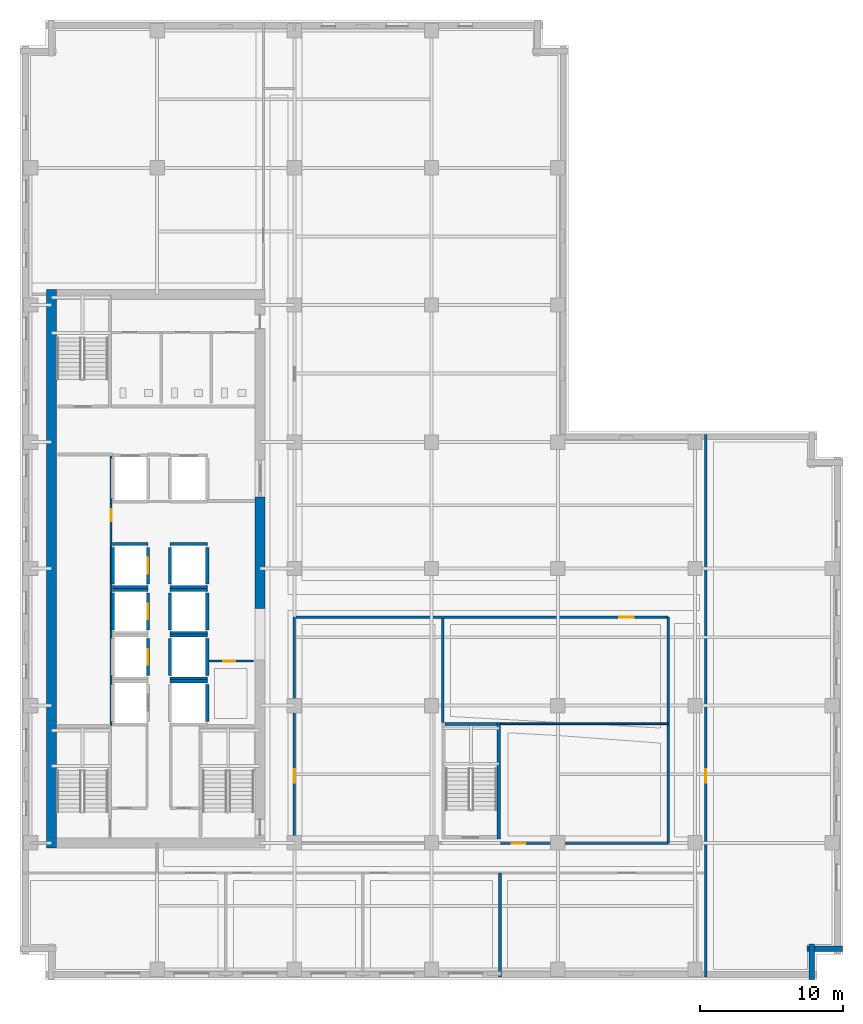
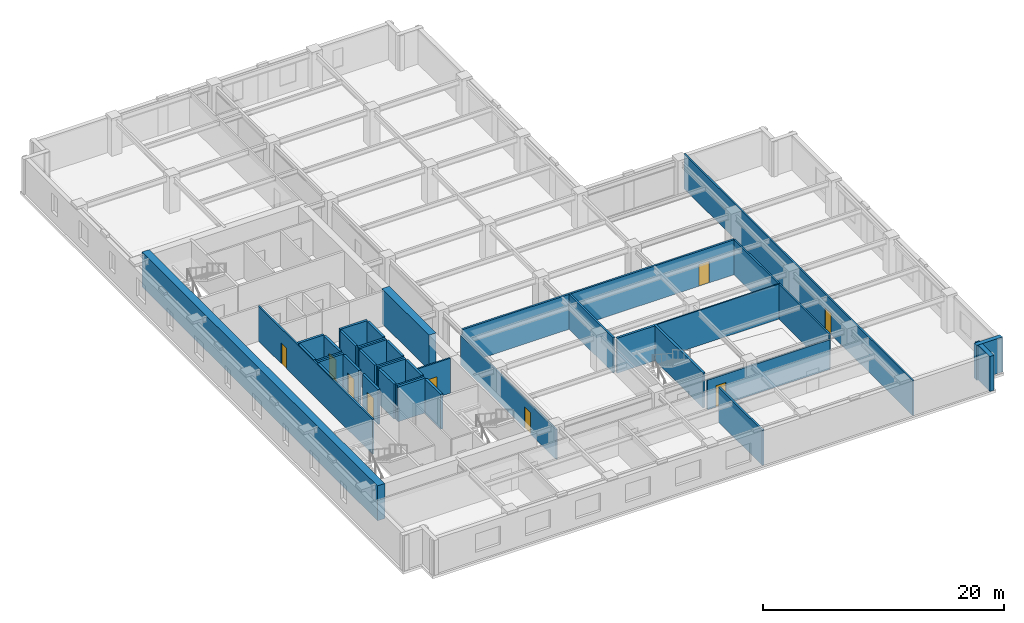
# One storey, part 4 of 11: 38 walls, 9 doors, 9 openings.
"""IFC4 building model written with IfcOpenShell, lengths in metres."""

from ifc_helpers import new_model, si_unit, direction, frame, frame_2d, origin, place, context, subcontext, project, spatial, rectangle, extrude, material, layer, layer_set, type_object, element, fill, save


model = new_model("IFC4")

# Units and contexts
model_context = context("Model", 3, precision=1e-05, world=origin(), true_north=direction((0.0, 1.0)))
body_context = subcontext(model_context, "Body", "Model", "MODEL_VIEW")
ifc_project = project(units=[si_unit("LENGTHUNIT", "METRE"), si_unit("AREAUNIT", "SQUARE_METRE"), si_unit("VOLUMEUNIT", "CUBIC_METRE"), si_unit("PLANEANGLEUNIT", "RADIAN"), si_unit("MASSUNIT", "GRAM", prefix="KILO")], contexts=[model_context])

# Site, building, storey
site_placement = place(None, origin())
site = spatial("IfcSite", under=ifc_project, at=site_placement, CompositionType="ELEMENT")
building_placement = place(site_placement, origin())
building = spatial("IfcBuilding", under=site, at=building_placement, Name="Norrvale University Quadrangle", CompositionType="ELEMENT")
storey_placement = place(building_placement, frame((0.0, 0.0, 120.39990234375)))
storey = spatial("IfcBuildingStorey", under=building, at=storey_placement, Name="L30", CompositionType="ELEMENT", Elevation=120.39990234375)

# Walls
ifc_material_1 = material(Name="Concrete C60/75", Category="concrete")
ifc_layer_1 = layer(ifc_material_1, 0.699951171875, Name="Concrete C60/75")
ifc_layer_set_1 = layer_set([ifc_layer_1], Name="Concrete C60/75")
wall_type_1 = type_object("IfcWallType", Name="Wall Core 700", PredefinedType="SHEAR", material=ifc_layer_set_1)
wall_1_placement = place(storey_placement, frame((2.199951171875, 9.25, 0.0), z_axis=(0.0, 0.0, 1.0), x_axis=(0.0, 1.0, 0.0)))
element("IfcWall", 1, at=wall_1_placement, inside=storey, type_object=wall_type_1, Name="Tower Core Shear Wall L30-W", PredefinedType="SHEAR", context=body_context, shape_type="SweptSolid", body=[
    extrude(rectangle(XDim=39.10009765625, YDim=0.699951171875, at=frame_2d((19.550048828125, 0.0))), origin(), (0.0, 0.0, 1.0), 3.5400390625),
])
wall_2_placement = place(storey_placement, frame((16.800048828125, 26.0, 0.0), z_axis=(0.0, 0.0, 1.0), x_axis=(0.0, 1.0, 0.0)))
element("IfcWall", 2, at=wall_2_placement, inside=storey, type_object=wall_type_1, Name="Tower Core Shear Wall L30-E2", PredefinedType="SHEAR", context=body_context, shape_type="SweptSolid", body=[
    extrude(rectangle(XDim=7.800048828125, YDim=0.699951171875, at=frame_2d((3.89990234375, 0.0))), origin(), (0.0, 0.0, 1.0), 3.5400390625),
])
ifc_material_2 = material(Name="Standard Academic Gypsum Partition")
ifc_layer_2 = layer(ifc_material_2, 0.125, Name="Standard Academic Gypsum Partition")
ifc_layer_set_2 = layer_set([ifc_layer_2], Name="Standard Academic Gypsum Partition")
wall_type_2 = type_object("IfcWallType", Name="Wall Gypsum Academic 125", PredefinedType="PARTITIONING", material=ifc_layer_set_2)
wall_3_placement = place(storey_placement, frame((33.6201171875, 17.93994140625, 0.0), z_axis=(0.0, 0.0, 1.0), x_axis=(1.0, 0.0, 0.0)))
element("IfcWall", 3, at=wall_3_placement, inside=storey, type_object=wall_type_2, Name="Interior Partition WL-L30-ISLH", PredefinedType="PARTITIONING", context=body_context, shape_type="SweptSolid", body=[
    extrude(rectangle(XDim=11.7548828125, YDim=0.125, at=frame_2d((5.87744140625, 0.0))), origin(), (0.0, 0.0, 1.0), 3.5400390625),
])

# Wall, opening, door
ifc_material_3 = material(Name="Fire-Rated Gypsum Stud Partition")
ifc_layer_3 = layer(ifc_material_3, 0.14990234375, Name="Fire-Rated Gypsum Stud Partition")
ifc_layer_set_3 = layer_set([ifc_layer_3], Name="Fire-Rated Gypsum Stud Partition")
wall_type_3 = type_object("IfcWallType", Name="Wall Gypsum Corridor 150", PredefinedType="PARTITIONING", material=ifc_layer_set_3)
wall_4_placement = place(storey_placement, frame((13.22509765625, 22.320068359375, 0.0), z_axis=(0.0, 0.0, 1.0), x_axis=(1.0, 0.0, 0.0)))
wall_4 = element("IfcWall", 4, at=wall_4_placement, inside=storey, type_object=wall_type_3, Name="Interior Partition WL-L30-JAN-N", PredefinedType="PARTITIONING", context=body_context, shape_type="SweptSolid", body=[
    extrude(rectangle(XDim=3.119873046875, YDim=0.14990234375, at=frame_2d((1.56005859375, 0.0))), origin(), (0.0, 0.0, 1.0), 3.5400390625),
])
opening_1_placement = place(wall_4_placement, frame((1.0, 0.0, 0.0)))
opening_1 = element("IfcOpeningElement", 5, at=opening_1_placement, cuts=wall_4, Name="Opening D10", PredefinedType="OPENING", context=body_context, shape_type="SweptSolid", body=[
    extrude(rectangle(XDim=0.85009765625, YDim=2.10009765625, at=frame_2d((0.425048828125, 1.050048828125))), frame((0.0, 0.0869140625, 0.0), z_axis=(0.0, -1.0, 0.0), x_axis=(1.0, 0.0, 0.0)), (0.0, 0.0, 1.0), 0.173828125),
])
ifc_material_4 = material(Name="Hollow Steel 350W Riser Fire Door", Category="steel")
door_type_1 = type_object("IfcDoorType", Name="Door Riser 850x2100", OperationType="NOTDEFINED", PredefinedType="DOOR", material=ifc_material_4)
door_1_placement = place(opening_1_placement, origin())
door_1 = element("IfcDoor", 6, at=door_1_placement, inside=storey, type_object=door_type_1, Name="Door Riser 850x2100 DR-L30-JAN", OperationType="SINGLE_SWING_LEFT", OverallHeight=2.10009765625, OverallWidth=0.85009765625, PredefinedType="DOOR", context=body_context, shape_type="SweptSolid", body=[
    extrude(rectangle(XDim=0.85009765625, YDim=2.10009765625, at=frame_2d((0.425048828125, 1.050048828125))), frame((0.0, 0.02490234375, 0.0), z_axis=(0.0, -1.0, 0.0), x_axis=(1.0, 0.0, 0.0)), (0.0, 0.0, 1.0), 0.050048828125),
])
fill(opening_1, door_1)

wall_5_placement = place(storey_placement, frame((6.3798828125, 17.800048828125, 0.0), z_axis=(0.0, 0.0, 1.0), x_axis=(0.0, 1.0, 0.0)))
wall_5 = element("IfcWall", 7, at=wall_5_placement, inside=storey, type_object=wall_type_3, Name="Interior Partition WL-L30-WME-E", PredefinedType="PARTITIONING", context=body_context, shape_type="SweptSolid", body=[
    extrude(rectangle(XDim=18.97998046875, YDim=0.14990234375, at=frame_2d((9.489990234375, 0.0))), origin(), (0.0, 0.0, 1.0), 3.5400390625),
])
opening_2_placement = place(wall_5_placement, frame((14.300048828125, 0.0, 0.0)))
opening_2 = element("IfcOpeningElement", 8, at=opening_2_placement, cuts=wall_5, Name="Opening D10", PredefinedType="OPENING", context=body_context, shape_type="SweptSolid", body=[
    extrude(rectangle(XDim=0.85009765625, YDim=2.10009765625, at=frame_2d((0.425048828125, 1.050048828125))), frame((0.0, 0.0869140625, 0.0), z_axis=(0.0, -1.0, 0.0), x_axis=(1.0, 0.0, 0.0)), (0.0, 0.0, 1.0), 0.173828125),
])
door_2_placement = place(opening_2_placement, origin())
door_2 = element("IfcDoor", 9, at=door_2_placement, inside=storey, type_object=door_type_1, Name="Door Riser 850x2100 DR-L30-WME", OperationType="SINGLE_SWING_LEFT", OverallHeight=2.10009765625, OverallWidth=0.85009765625, PredefinedType="DOOR", context=body_context, shape_type="SweptSolid", body=[
    extrude(rectangle(XDim=0.85009765625, YDim=2.10009765625, at=frame_2d((0.425048828125, 1.050048828125))), frame((0.0, 0.02490234375, 0.0), z_axis=(0.0, -1.0, 0.0), x_axis=(1.0, 0.0, 0.0)), (0.0, 0.0, 1.0), 0.050048828125),
])
fill(opening_2, door_2)

wall_6_placement = place(storey_placement, frame((48.0, 0.219970703125, 0.0), z_axis=(0.0, 0.0, 1.0), x_axis=(0.0, 1.0, 0.0)))
wall_6 = element("IfcWall", 10, at=wall_6_placement, inside=storey, type_object=wall_type_3, Name="Interior Partition WL-L30-ECW", PredefinedType="PARTITIONING", context=body_context, shape_type="SweptSolid", body=[
    extrude(rectangle(XDim=37.9599609375, YDim=0.14990234375, at=frame_2d((18.97998046875, 0.0))), origin(), (0.0, 0.0, 1.0), 3.5400390625),
])
opening_3_placement = place(wall_6_placement, frame((13.580078125, 0.0, 0.0)))
opening_3 = element("IfcOpeningElement", 11, at=opening_3_placement, cuts=wall_6, Name="Opening D07", PredefinedType="OPENING", context=body_context, shape_type="SweptSolid", body=[
    extrude(rectangle(XDim=0.949951171875, YDim=2.14990234375, at=frame_2d((0.47509765625, 1.074951171875))), frame((0.0, 0.0869140625, 0.0), z_axis=(0.0, -1.0, 0.0), x_axis=(1.0, 0.0, 0.0)), (0.0, 0.0, 1.0), 0.173828125),
])
ifc_material_5 = material(Name="Solid-Core Maple Door", Category="wood")
door_type_2 = type_object("IfcDoorType", Name="Door Office 950x2150", OperationType="NOTDEFINED", PredefinedType="DOOR", material=ifc_material_5)
door_3_placement = place(opening_3_placement, origin())
door_3 = element("IfcDoor", 12, at=door_3_placement, inside=storey, type_object=door_type_2, Name="Door Office 950x2150 DR-L30-E01", OperationType="SINGLE_SWING_RIGHT", OverallHeight=2.14990234375, OverallWidth=0.949951171875, PredefinedType="DOOR", context=body_context, shape_type="SweptSolid", body=[
    extrude(rectangle(XDim=0.949951171875, YDim=2.14990234375, at=frame_2d((0.47509765625, 1.074951171875))), frame((0.0, 0.02490234375, 0.0), z_axis=(0.0, -1.0, 0.0), x_axis=(1.0, 0.0, 0.0)), (0.0, 0.0, 1.0), 0.050048828125),
])
fill(opening_3, door_3)

wall_7_placement = place(storey_placement, frame((19.199951171875, 9.550048828125, 0.0), z_axis=(0.0, 0.0, 1.0), x_axis=(0.0, 1.0, 0.0)))
wall_7 = element("IfcWall", 13, at=wall_7_placement, inside=storey, type_object=wall_type_3, Name="Interior Partition WL-L30-ISLW", PredefinedType="PARTITIONING", context=body_context, shape_type="SweptSolid", body=[
    extrude(rectangle(XDim=15.849853515625, YDim=0.14990234375, at=frame_2d((7.9248046875, 0.0))), origin(), (0.0, 0.0, 1.0), 2.99609375),
])
opening_4_placement = place(wall_7_placement, frame((4.25, 0.0, 0.0)))
opening_4 = element("IfcOpeningElement", 14, at=opening_4_placement, cuts=wall_7, Name="Opening D07", PredefinedType="OPENING", context=body_context, shape_type="SweptSolid", body=[
    extrude(rectangle(XDim=0.949951171875, YDim=2.14990234375, at=frame_2d((0.47509765625, 1.074951171875))), frame((0.0, 0.0869140625, 0.0), z_axis=(0.0, -1.0, 0.0), x_axis=(1.0, 0.0, 0.0)), (0.0, 0.0, 1.0), 0.173828125),
])
door_4_placement = place(opening_4_placement, origin())
door_4 = element("IfcDoor", 15, at=door_4_placement, inside=storey, type_object=door_type_2, Name="Door Office 950x2150 DR-L30-IW1", OperationType="SINGLE_SWING_LEFT", OverallHeight=2.14990234375, OverallWidth=0.949951171875, PredefinedType="DOOR", context=body_context, shape_type="SweptSolid", body=[
    extrude(rectangle(XDim=0.949951171875, YDim=2.14990234375, at=frame_2d((0.47509765625, 1.074951171875))), frame((0.0, 0.02490234375, 0.0), z_axis=(0.0, -1.0, 0.0), x_axis=(1.0, 0.0, 0.0)), (0.0, 0.0, 1.0), 0.050048828125),
])
fill(opening_4, door_4)

wall_8_placement = place(storey_placement, frame((33.6201171875, 9.550048828125, 0.0), z_axis=(0.0, 0.0, 1.0), x_axis=(1.0, 0.0, 0.0)))
wall_8 = element("IfcWall", 16, at=wall_8_placement, inside=storey, type_object=wall_type_3, Name="Interior Partition WL-L30-ISLS2", PredefinedType="PARTITIONING", context=body_context, shape_type="SweptSolid", body=[
    extrude(rectangle(XDim=11.7548828125, YDim=0.14990234375, at=frame_2d((5.87744140625, 0.0))), origin(), (0.0, 0.0, 1.0), 2.99609375),
])
opening_5_placement = place(wall_8_placement, frame((0.800048828125, 0.0, 0.0)))
opening_5 = element("IfcOpeningElement", 17, at=opening_5_placement, cuts=wall_8, Name="Opening D07", PredefinedType="OPENING", context=body_context, shape_type="SweptSolid", body=[
    extrude(rectangle(XDim=0.949951171875, YDim=2.14990234375, at=frame_2d((0.47509765625, 1.074951171875))), frame((0.0, 0.0869140625, 0.0), z_axis=(0.0, -1.0, 0.0), x_axis=(1.0, 0.0, 0.0)), (0.0, 0.0, 1.0), 0.173828125),
])
door_5_placement = place(opening_5_placement, origin())
door_5 = element("IfcDoor", 18, at=door_5_placement, inside=storey, type_object=door_type_2, Name="Door Office 950x2150 DR-L30-ISE", OperationType="SINGLE_SWING_LEFT", OverallHeight=2.14990234375, OverallWidth=0.949951171875, PredefinedType="DOOR", context=body_context, shape_type="SweptSolid", body=[
    extrude(rectangle(XDim=0.949951171875, YDim=2.14990234375, at=frame_2d((0.47509765625, 1.074951171875))), frame((0.0, 0.02490234375, 0.0), z_axis=(0.0, -1.0, 0.0), x_axis=(1.0, 0.0, 0.0)), (0.0, 0.0, 1.0), 0.050048828125),
])
fill(opening_5, door_5)

# Walls
wall_9_placement = place(storey_placement, frame((45.375, 9.550048828125, 0.0), z_axis=(0.0, 0.0, 1.0), x_axis=(0.0, 1.0, 0.0)))
element("IfcWall", 19, at=wall_9_placement, inside=storey, type_object=wall_type_3, Name="Interior Partition WL-L30-ISLE", PredefinedType="PARTITIONING", context=body_context, shape_type="SweptSolid", body=[
    extrude(rectangle(XDim=15.849853515625, YDim=0.14990234375, at=frame_2d((7.9248046875, 0.0))), origin(), (0.0, 0.0, 1.0), 3.5400390625),
])
ifc_material_6 = material(Name="Acoustic Double-Stud Gypsum Partition")
ifc_layer_4 = layer(ifc_material_6, 0.179931640625, Name="Acoustic Double-Stud Gypsum Partition")
ifc_layer_set_4 = layer_set([ifc_layer_4], Name="Acoustic Double-Stud Gypsum Partition")
wall_type_4 = type_object("IfcWallType", Name="Wall Gypsum Lecture 180", PredefinedType="PARTITIONING", material=ifc_layer_set_4)
for number, where, z_axis, x_axis, name in (
    (20, (33.60009765625, 0.219970703125, 0.0), (0.0, 0.0, 1.0), (0.0, 1.0, 0.0), "Interior Partition WL-L30-SP03"),
    (21, (29.580078125, 18.02490234375, 0.0), (0.0, 0.0, 1.0), (0.0, 1.0, 0.0), "Interior Partition WL-L30-ISLD"),
):
    element("IfcWall", number, at=place(storey_placement, frame(where, z_axis=z_axis, x_axis=x_axis)), inside=storey, type_object=wall_type_4, Name=name, PredefinedType="PARTITIONING", context=body_context, shape_type="SweptSolid", body=[
        extrude(rectangle(XDim=7.280029296875, YDim=0.179931640625, at=frame_2d((3.64013671875, 0.0))), origin(), (0.0, 0.0, 1.0), 3.5400390625),
    ])

# Wall, opening, door
wall_10_placement = place(storey_placement, frame((19.280029296875, 25.39990234375, 0.0), z_axis=(0.0, 0.0, 1.0), x_axis=(1.0, 0.0, 0.0)))
wall_10 = element("IfcWall", 22, at=wall_10_placement, inside=storey, type_object=wall_type_4, Name="Interior Partition WL-L30-ISLN", PredefinedType="PARTITIONING", context=body_context, shape_type="SweptSolid", body=[
    extrude(rectangle(XDim=26.094970703125, YDim=0.179931640625, at=frame_2d((13.04736328125, 0.0))), origin(), (0.0, 0.0, 1.0), 3.5400390625),
])
opening_6_placement = place(wall_10_placement, frame((22.669921875, 0.0, 0.0)))
opening_6 = element("IfcOpeningElement", 23, at=opening_6_placement, cuts=wall_10, Name="Opening D04", PredefinedType="OPENING", context=body_context, shape_type="SweptSolid", body=[
    extrude(rectangle(XDim=1.0, YDim=2.199951171875, at=frame_2d((0.5, 1.10009765625))), frame((0.0, 0.10205078125, 0.0), z_axis=(0.0, -1.0, 0.0), x_axis=(1.0, 0.0, 0.0)), (0.0, 0.0, 1.0), 0.203857421875),
])
ifc_material_7 = material(Name="Solid-Core Oak Fire Door", Category="wood")
door_type_3 = type_object("IfcDoorType", Name="Door Corridor 1000x2200", OperationType="NOTDEFINED", PredefinedType="DOOR", material=ifc_material_7)
door_6_placement = place(opening_6_placement, origin())
door_6 = element("IfcDoor", 24, at=door_6_placement, inside=storey, type_object=door_type_3, Name="Door Corridor 1000x2200 DR-L30-ILH", OperationType="SINGLE_SWING_RIGHT", OverallHeight=2.199951171875, OverallWidth=1.0, PredefinedType="DOOR", context=body_context, shape_type="SweptSolid", body=[
    extrude(rectangle(XDim=1.0, YDim=2.199951171875, at=frame_2d((0.5, 1.10009765625))), frame((0.0, 0.02490234375, 0.0), z_axis=(0.0, -1.0, 0.0), x_axis=(1.0, 0.0, 0.0)), (0.0, 0.0, 1.0), 0.050048828125),
])
fill(opening_6, door_6)

# Walls
ifc_material_8 = material(Name="Red Manganese Brick Masonry", Category="masonry")
ifc_layer_5 = layer(ifc_material_8, 0.39990234375, Name="Red Manganese Brick Masonry")
ifc_layer_set_5 = layer_set([ifc_layer_5], Name="Red Manganese Brick Masonry")
wall_type_5 = type_object("IfcWallType", Name="Wall Red Brick 400", PredefinedType="SOLIDWALL", material=ifc_layer_set_5)
for number, where, z_axis, x_axis, name in (
    (25, (55.419921875, 0.0400390625, 0.0), (0.0, 0.0, 1.0), (0.0, 1.0, 0.0), "Exterior Brick Facade Wall L30-02.1"),
    (26, (55.080078125, 2.179931640625, 0.0), (0.0, 0.0, 1.0), (1.0, 0.0, 0.0), "Exterior Brick Facade Wall L30-03.1"),
):
    element("IfcWall", number, at=place(storey_placement, frame(where, z_axis=z_axis, x_axis=x_axis)), inside=storey, type_object=wall_type_5, Name=name, PredefinedType="SOLIDWALL", context=body_context, shape_type="SweptSolid", body=[
        extrude(rectangle(XDim=2.47998046875, YDim=0.39990234375, at=frame_2d((1.239990234375, 0.0))), origin(), (0.0, 0.0, 1.0), 3.5400390625),
    ])
ifc_material_9 = material(Name="Concrete Blockwork 20 MPa Fire Shaft", Category="masonry")
ifc_layer_6 = layer(ifc_material_9, 0.219970703125, Name="Concrete Blockwork 20 MPa Fire Shaft")
ifc_layer_set_6 = layer_set([ifc_layer_6], Name="Concrete Blockwork 20 MPa Fire Shaft")
wall_type_6 = type_object("IfcWallType", Name="Wall Shaft 220", PredefinedType="SOLIDWALL", material=ifc_layer_set_6)
wall_11_placement = place(storey_placement, frame((33.510009765625, 9.8798828125, 0.0), z_axis=(0.0, 0.0, 1.0), x_axis=(0.0, 1.0, 0.0)))
element("IfcWall", 27, at=wall_11_placement, inside=storey, type_object=wall_type_6, Name="Stair ST-04 East Shaft Wall L30", PredefinedType="SOLIDWALL", context=body_context, shape_type="SweptSolid", body=[
    extrude(rectangle(XDim=8.14013671875, YDim=0.219970703125, at=frame_2d((4.070068359375, 0.0))), origin(), (0.0, 0.0, 1.0), 3.5400390625),
])
wall_12_placement = place(storey_placement, frame((29.75, 17.909912109375, 0.0), z_axis=(0.0, 0.0, 1.0), x_axis=(1.0, 0.0, 0.0)))
element("IfcWall", 28, at=wall_12_placement, inside=storey, type_object=wall_type_6, Name="Stair ST-04 North Shaft Wall L30", PredefinedType="SOLIDWALL", context=body_context, shape_type="SweptSolid", body=[
    extrude(rectangle(XDim=3.64990234375, YDim=0.219970703125, at=frame_2d((1.824951171875, 0.0))), origin(), (0.0, 0.0, 1.0), 3.5400390625),
])

# Wall, opening, door
wall_13_placement = place(storey_placement, frame((8.9599609375, 21.31005859375, 0.0), z_axis=(0.0, 0.0, 1.0), x_axis=(0.0, 1.0, 0.0)))
wall_13 = element("IfcWall", 29, at=wall_13_placement, inside=storey, type_object=wall_type_6, Name="Hoistway PL-02 East Wall L30", PredefinedType="SOLIDWALL", context=body_context, shape_type="SweptSolid", body=[
    extrude(rectangle(XDim=2.579833984375, YDim=0.219970703125, at=frame_2d((1.2900390625, 0.0))), origin(), (0.0, 0.0, 1.0), 3.5400390625),
])
opening_7_placement = place(wall_13_placement, frame((0.739990234375, 0.0, 0.0)))
opening_7 = element("IfcOpeningElement", 30, at=opening_7_placement, cuts=wall_13, Name="Opening LD1", PredefinedType="OPENING", context=body_context, shape_type="SweptSolid", body=[
    extrude(rectangle(XDim=1.10009765625, YDim=2.199951171875, at=frame_2d((0.550048828125, 1.10009765625))), frame((0.0, 0.1220703125, 0.0), z_axis=(0.0, -1.0, 0.0), x_axis=(1.0, 0.0, 0.0)), (0.0, 0.0, 1.0), 0.243896484375),
])
ifc_material_10 = material(Name="Stainless Steel 316L Lift Landing Door", Category="steel")
door_type_4 = type_object("IfcDoorType", Name="Door Lift Landing 1100x2200", OperationType="DOUBLE_DOOR_SLIDING", PredefinedType="DOOR", material=ifc_material_10)
door_7_placement = place(opening_7_placement, origin())
door_7 = element("IfcDoor", 31, at=door_7_placement, inside=storey, type_object=door_type_4, Name="Elevator Landing Door DR-L30-PL-02", OperationType="DOUBLE_DOOR_SLIDING", OverallHeight=2.199951171875, OverallWidth=1.10009765625, PredefinedType="DOOR", context=body_context, shape_type="SweptSolid", body=[
    extrude(rectangle(XDim=1.10009765625, YDim=2.199951171875, at=frame_2d((0.550048828125, 1.10009765625))), frame((0.0, 0.02490234375, 0.0), z_axis=(0.0, -1.0, 0.0), x_axis=(1.0, 0.0, 0.0)), (0.0, 0.0, 1.0), 0.050048828125),
])
fill(opening_7, door_7)

# Wall
wall_14_placement = place(storey_placement, frame((6.489990234375, 24.510009765625, 0.0), z_axis=(0.0, 0.0, 1.0), x_axis=(0.0, 1.0, 0.0)))
element("IfcWall", 32, at=wall_14_placement, inside=storey, type_object=wall_type_6, Name="Hoistway PL-03 West Wall L30", PredefinedType="SOLIDWALL", context=body_context, shape_type="SweptSolid", body=[
    extrude(rectangle(XDim=2.580078125, YDim=0.219970703125, at=frame_2d((1.2900390625, 0.0))), origin(), (0.0, 0.0, 1.0), 3.5400390625),
])

# Wall, opening, door
wall_15_placement = place(storey_placement, frame((8.9599609375, 24.510009765625, 0.0), z_axis=(0.0, 0.0, 1.0), x_axis=(0.0, 1.0, 0.0)))
wall_15 = element("IfcWall", 33, at=wall_15_placement, inside=storey, type_object=wall_type_6, Name="Hoistway PL-03 East Wall L30", PredefinedType="SOLIDWALL", context=body_context, shape_type="SweptSolid", body=[
    extrude(rectangle(XDim=2.580078125, YDim=0.219970703125, at=frame_2d((1.2900390625, 0.0))), origin(), (0.0, 0.0, 1.0), 3.5400390625),
])
opening_8_placement = place(wall_15_placement, frame((0.739990234375, 0.0, 0.0)))
opening_8 = element("IfcOpeningElement", 34, at=opening_8_placement, cuts=wall_15, Name="Opening LD1", PredefinedType="OPENING", context=body_context, shape_type="SweptSolid", body=[
    extrude(rectangle(XDim=1.10009765625, YDim=2.199951171875, at=frame_2d((0.550048828125, 1.10009765625))), frame((0.0, 0.1220703125, 0.0), z_axis=(0.0, -1.0, 0.0), x_axis=(1.0, 0.0, 0.0)), (0.0, 0.0, 1.0), 0.243896484375),
])
door_8_placement = place(opening_8_placement, origin())
door_8 = element("IfcDoor", 35, at=door_8_placement, inside=storey, type_object=door_type_4, Name="Elevator Landing Door DR-L30-PL-03", OperationType="DOUBLE_DOOR_SLIDING", OverallHeight=2.199951171875, OverallWidth=1.10009765625, PredefinedType="DOOR", context=body_context, shape_type="SweptSolid", body=[
    extrude(rectangle(XDim=1.10009765625, YDim=2.199951171875, at=frame_2d((0.550048828125, 1.10009765625))), frame((0.0, 0.02490234375, 0.0), z_axis=(0.0, -1.0, 0.0), x_axis=(1.0, 0.0, 0.0)), (0.0, 0.0, 1.0), 0.050048828125),
])
fill(opening_8, door_8)

# Walls
wall_16_placement = place(storey_placement, frame((6.489990234375, 27.31005859375, 0.0), z_axis=(0.0, 0.0, 1.0), x_axis=(1.0, 0.0, 0.0)))
element("IfcWall", 36, at=wall_16_placement, inside=storey, type_object=wall_type_6, Name="Hoistway PL-03 North Wall L30", PredefinedType="SOLIDWALL", context=body_context, shape_type="SweptSolid", body=[
    extrude(rectangle(XDim=2.469970703125, YDim=0.219970703125, at=frame_2d((1.23486328125, 0.0))), origin(), (0.0, 0.0, 1.0), 3.5400390625),
])
wall_17_placement = place(storey_placement, frame((6.489990234375, 27.7099609375, 0.0), z_axis=(0.0, 0.0, 1.0), x_axis=(0.0, 1.0, 0.0)))
element("IfcWall", 37, at=wall_17_placement, inside=storey, type_object=wall_type_6, Name="Hoistway PL-04 West Wall L30", PredefinedType="SOLIDWALL", context=body_context, shape_type="SweptSolid", body=[
    extrude(rectangle(XDim=2.580078125, YDim=0.219970703125, at=frame_2d((1.2900390625, 0.0))), origin(), (0.0, 0.0, 1.0), 3.5400390625),
])

# Wall, opening, door
wall_18_placement = place(storey_placement, frame((8.9599609375, 27.7099609375, 0.0), z_axis=(0.0, 0.0, 1.0), x_axis=(0.0, 1.0, 0.0)))
wall_18 = element("IfcWall", 38, at=wall_18_placement, inside=storey, type_object=wall_type_6, Name="Hoistway PL-04 East Wall L30", PredefinedType="SOLIDWALL", context=body_context, shape_type="SweptSolid", body=[
    extrude(rectangle(XDim=2.580078125, YDim=0.219970703125, at=frame_2d((1.2900390625, 0.0))), origin(), (0.0, 0.0, 1.0), 3.5400390625),
])
opening_9_placement = place(wall_18_placement, frame((0.739990234375, 0.0, 0.0)))
opening_9 = element("IfcOpeningElement", 39, at=opening_9_placement, cuts=wall_18, Name="Opening LD1", PredefinedType="OPENING", context=body_context, shape_type="SweptSolid", body=[
    extrude(rectangle(XDim=1.10009765625, YDim=2.199951171875, at=frame_2d((0.550048828125, 1.10009765625))), frame((0.0, 0.1220703125, 0.0), z_axis=(0.0, -1.0, 0.0), x_axis=(1.0, 0.0, 0.0)), (0.0, 0.0, 1.0), 0.243896484375),
])
door_9_placement = place(opening_9_placement, origin())
door_9 = element("IfcDoor", 40, at=door_9_placement, inside=storey, type_object=door_type_4, Name="Elevator Landing Door DR-L30-PL-04", OperationType="DOUBLE_DOOR_SLIDING", OverallHeight=2.199951171875, OverallWidth=1.10009765625, PredefinedType="DOOR", context=body_context, shape_type="SweptSolid", body=[
    extrude(rectangle(XDim=1.10009765625, YDim=2.199951171875, at=frame_2d((0.550048828125, 1.10009765625))), frame((0.0, 0.02490234375, 0.0), z_axis=(0.0, -1.0, 0.0), x_axis=(1.0, 0.0, 0.0)), (0.0, 0.0, 1.0), 0.050048828125),
])
fill(opening_9, door_9)

# Walls
for number, where, z_axis, x_axis, name in (
    (41, (6.489990234375, 27.489990234375, 0.0), (0.0, 0.0, 1.0), (1.0, 0.0, 0.0), "Hoistway PL-04 South Wall L30"),
    (42, (6.489990234375, 30.510009765625, 0.0), (0.0, 0.0, 1.0), (1.0, 0.0, 0.0), "Hoistway PL-04 North Wall L30"),
):
    element("IfcWall", number, at=place(storey_placement, frame(where, z_axis=z_axis, x_axis=x_axis)), inside=storey, type_object=wall_type_6, Name=name, PredefinedType="SOLIDWALL", context=body_context, shape_type="SweptSolid", body=[
        extrude(rectangle(XDim=2.469970703125, YDim=0.219970703125, at=frame_2d((1.23486328125, 0.0))), origin(), (0.0, 0.0, 1.0), 3.5400390625),
    ])
wall_19_placement = place(storey_placement, frame((13.110107421875, 18.110107421875, 0.0), z_axis=(0.0, 0.0, 1.0), x_axis=(0.0, 1.0, 0.0)))
element("IfcWall", 43, at=wall_19_placement, inside=storey, type_object=wall_type_6, Name="Hoistway PL-05 East Wall L30", PredefinedType="SOLIDWALL", context=body_context, shape_type="SweptSolid", body=[
    extrude(rectangle(XDim=2.579833984375, YDim=0.219970703125, at=frame_2d((1.2900390625, 0.0))), origin(), (0.0, 0.0, 1.0), 3.5400390625),
])
wall_20_placement = place(storey_placement, frame((10.489990234375, 20.909912109375, 0.0), z_axis=(0.0, 0.0, 1.0), x_axis=(1.0, 0.0, 0.0)))
element("IfcWall", 44, at=wall_20_placement, inside=storey, type_object=wall_type_6, Name="Hoistway PL-05 North Wall L30", PredefinedType="SOLIDWALL", context=body_context, shape_type="SweptSolid", body=[
    extrude(rectangle(XDim=2.6201171875, YDim=0.219970703125, at=frame_2d((1.31005859375, 0.0))), origin(), (0.0, 0.0, 1.0), 3.5400390625),
])
for number, where, z_axis, x_axis, name in (
    (45, (10.489990234375, 21.31005859375, 0.0), (0.0, 0.0, 1.0), (0.0, 1.0, 0.0), "Hoistway PL-06 West Wall L30"),
    (46, (13.110107421875, 21.31005859375, 0.0), (0.0, 0.0, 1.0), (0.0, 1.0, 0.0), "Hoistway PL-06 East Wall L30"),
):
    element("IfcWall", number, at=place(storey_placement, frame(where, z_axis=z_axis, x_axis=x_axis)), inside=storey, type_object=wall_type_6, Name=name, PredefinedType="SOLIDWALL", context=body_context, shape_type="SweptSolid", body=[
        extrude(rectangle(XDim=2.579833984375, YDim=0.219970703125, at=frame_2d((1.2900390625, 0.0))), origin(), (0.0, 0.0, 1.0), 3.5400390625),
    ])
for number, where, z_axis, x_axis, name in (
    (47, (10.489990234375, 21.090087890625, 0.0), (0.0, 0.0, 1.0), (1.0, 0.0, 0.0), "Hoistway PL-06 South Wall L30"),
    (48, (10.489990234375, 24.110107421875, 0.0), (0.0, 0.0, 1.0), (1.0, 0.0, 0.0), "Hoistway PL-06 North Wall L30"),
):
    element("IfcWall", number, at=place(storey_placement, frame(where, z_axis=z_axis, x_axis=x_axis)), inside=storey, type_object=wall_type_6, Name=name, PredefinedType="SOLIDWALL", context=body_context, shape_type="SweptSolid", body=[
        extrude(rectangle(XDim=2.6201171875, YDim=0.219970703125, at=frame_2d((1.31005859375, 0.0))), origin(), (0.0, 0.0, 1.0), 3.5400390625),
    ])
for number, where, z_axis, x_axis, name in (
    (49, (10.489990234375, 24.510009765625, 0.0), (0.0, 0.0, 1.0), (0.0, 1.0, 0.0), "Hoistway PL-07 West Wall L30"),
    (50, (13.110107421875, 24.510009765625, 0.0), (0.0, 0.0, 1.0), (0.0, 1.0, 0.0), "Hoistway PL-07 East Wall L30"),
):
    element("IfcWall", number, at=place(storey_placement, frame(where, z_axis=z_axis, x_axis=x_axis)), inside=storey, type_object=wall_type_6, Name=name, PredefinedType="SOLIDWALL", context=body_context, shape_type="SweptSolid", body=[
        extrude(rectangle(XDim=2.580078125, YDim=0.219970703125, at=frame_2d((1.2900390625, 0.0))), origin(), (0.0, 0.0, 1.0), 3.5400390625),
    ])
for number, where, z_axis, x_axis, name in (
    (51, (10.489990234375, 24.2900390625, 0.0), (0.0, 0.0, 1.0), (1.0, 0.0, 0.0), "Hoistway PL-07 South Wall L30"),
    (52, (10.489990234375, 27.31005859375, 0.0), (0.0, 0.0, 1.0), (1.0, 0.0, 0.0), "Hoistway PL-07 North Wall L30"),
):
    element("IfcWall", number, at=place(storey_placement, frame(where, z_axis=z_axis, x_axis=x_axis)), inside=storey, type_object=wall_type_6, Name=name, PredefinedType="SOLIDWALL", context=body_context, shape_type="SweptSolid", body=[
        extrude(rectangle(XDim=2.6201171875, YDim=0.219970703125, at=frame_2d((1.31005859375, 0.0))), origin(), (0.0, 0.0, 1.0), 3.5400390625),
    ])
for number, where, z_axis, x_axis, name in (
    (53, (10.489990234375, 27.7099609375, 0.0), (0.0, 0.0, 1.0), (0.0, 1.0, 0.0), "Hoistway PL-08 West Wall L30"),
    (54, (13.110107421875, 27.7099609375, 0.0), (0.0, 0.0, 1.0), (0.0, 1.0, 0.0), "Hoistway PL-08 East Wall L30"),
):
    element("IfcWall", number, at=place(storey_placement, frame(where, z_axis=z_axis, x_axis=x_axis)), inside=storey, type_object=wall_type_6, Name=name, PredefinedType="SOLIDWALL", context=body_context, shape_type="SweptSolid", body=[
        extrude(rectangle(XDim=2.580078125, YDim=0.219970703125, at=frame_2d((1.2900390625, 0.0))), origin(), (0.0, 0.0, 1.0), 3.5400390625),
    ])
for number, where, z_axis, x_axis, name in (
    (55, (10.489990234375, 27.489990234375, 0.0), (0.0, 0.0, 1.0), (1.0, 0.0, 0.0), "Hoistway PL-08 South Wall L30"),
    (56, (10.489990234375, 30.510009765625, 0.0), (0.0, 0.0, 1.0), (1.0, 0.0, 0.0), "Hoistway PL-08 North Wall L30"),
):
    element("IfcWall", number, at=place(storey_placement, frame(where, z_axis=z_axis, x_axis=x_axis)), inside=storey, type_object=wall_type_6, Name=name, PredefinedType="SOLIDWALL", context=body_context, shape_type="SweptSolid", body=[
        extrude(rectangle(XDim=2.6201171875, YDim=0.219970703125, at=frame_2d((1.31005859375, 0.0))), origin(), (0.0, 0.0, 1.0), 3.5400390625),
    ])

save(model, "model.ifc")
